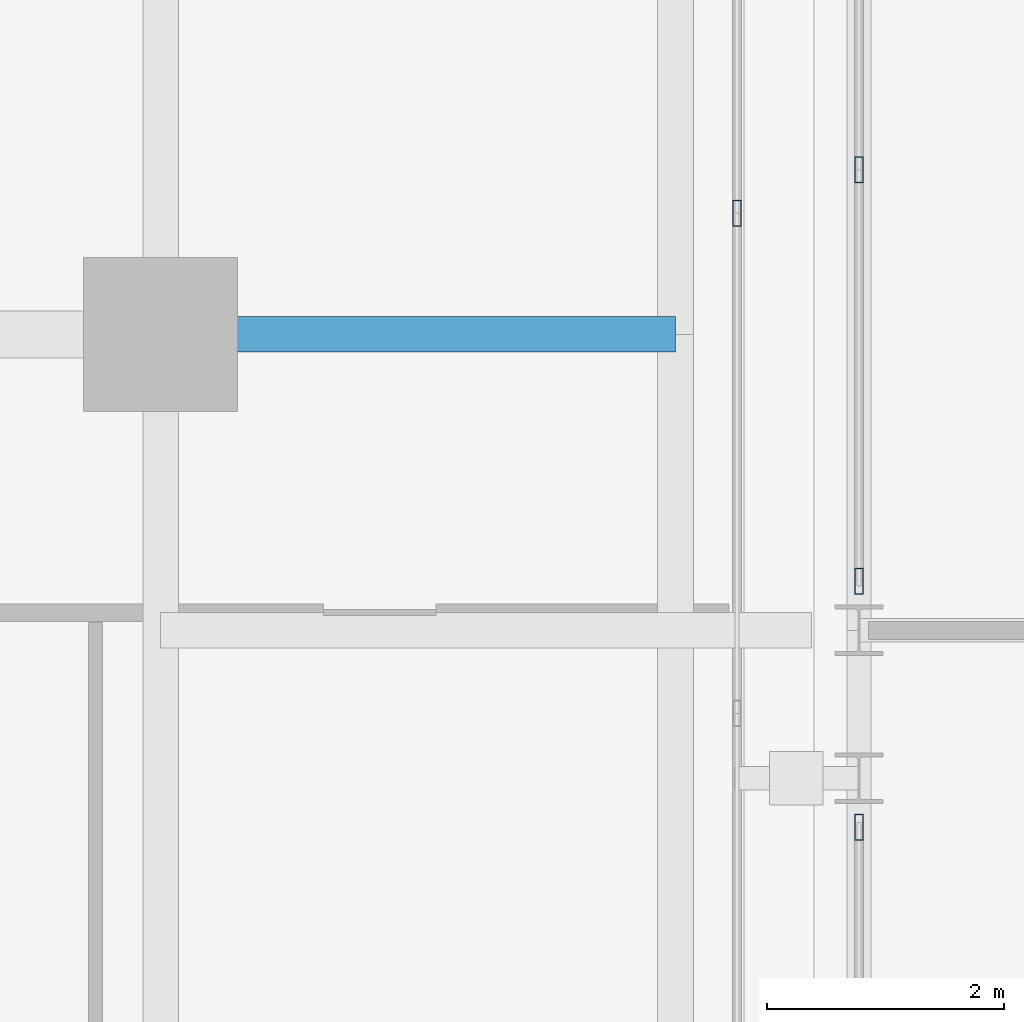
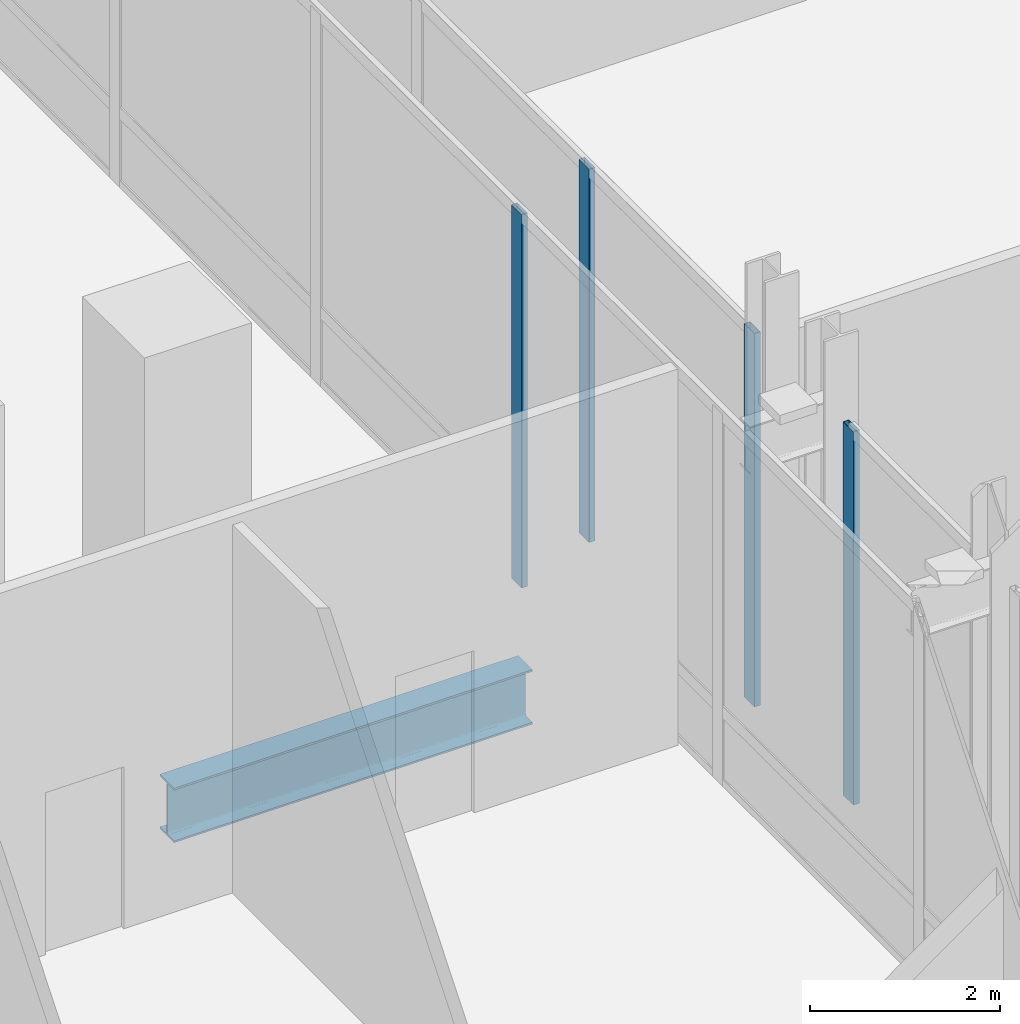
# One storey, part 14 of 36: 4 members, 1 beam, 3 elements without a shape of their own.
"""IFC4 building model written with IfcOpenShell, lengths in metres."""

import ifcopenshell
import ifcopenshell.guid

model = None  # the IFC model being written
_history = None  # IfcOwnerHistory: only IFC2X3 demands one
_inside = {}  # id of a spatial element -> (the spatial element, [elements in it])
_under = {}  # id of a project, library or spatial element -> (it, [spatial elements below it])
_declared = {}  # id of a project -> (the project, [libraries it declares])
_typed = {}  # id of a type object -> (the type object, [elements of that type])
_made_of = {}  # id of a material, layer set ... -> (it, [elements and type objects made of it])


def new_model(schema):
    """Start an empty IFC model of exactly this schema.

    Asked for "IFC4X3", IfcOpenShell would pick the latest addendum, in which some entities
    have other attributes; the version numbers below select the first issue.
    IFC2X3 requires an IfcOwnerHistory on every rooted entity: one is made here for all.
    """
    global model, _history
    if schema == "IFC4X3":
        model = ifcopenshell.file(schema_version=(4, 3, 0, 0))
    else:
        model = ifcopenshell.file(schema=schema)
    _inside.clear()
    _under.clear()
    _declared.clear()
    _typed.clear()
    _made_of.clear()
    _history = None
    if model.schema == "IFC2X3":
        org = make("IfcOrganization", Name="unknown")
        user = make(
            "IfcPersonAndOrganization",
            ThePerson=make("IfcPerson", FamilyName="unknown"),
            TheOrganization=org,
        )
        app = make(
            "IfcApplication",
            ApplicationDeveloper=org,
            Version="unknown",
            ApplicationFullName="unknown",
            ApplicationIdentifier="unknown",
        )
        _history = make(
            "IfcOwnerHistory",
            OwningUser=user,
            OwningApplication=app,
            ChangeAction="ADDED",
            CreationDate=0,
        )
    return model


def make(cls, **values):
    """One entity of the class cls with the attributes given. An attribute that is None is left unset."""
    return model.create_entity(
        cls, **{name: value for name, value in values.items() if value is not None}
    )


def rooted(cls, **values):
    """An entity with a GlobalId (a new one), such as an element, a storey or a relation."""
    return make(cls, GlobalId=ifcopenshell.guid.new(), OwnerHistory=_history, **values)


def si_unit(unit_type, name, prefix=None):
    """IfcSIUnit, for example si_unit("LENGTHUNIT", "METRE", prefix="MILLI")."""
    return make("IfcSIUnit", UnitType=unit_type, Prefix=prefix, Name=name)


def assignment(units):
    """IfcUnitAssignment: the units of a project."""
    return None if units is None else make("IfcUnitAssignment", Units=units)


def point(xyz):
    """IfcCartesianPoint."""
    return None if xyz is None else make("IfcCartesianPoint", Coordinates=xyz)


def direction(xyz):
    """IfcDirection."""
    return None if xyz is None else make("IfcDirection", DirectionRatios=xyz)


def frame(location, z_axis=None, x_axis=None):
    """IfcAxis2Placement3D, a coordinate frame: its origin and axes. An axis left out is left unset."""
    return make(
        "IfcAxis2Placement3D",
        Location=point(location),
        Axis=direction(z_axis),
        RefDirection=direction(x_axis),
    )


def frame_2d(location, x_axis=None):
    """IfcAxis2Placement2D, a coordinate frame in the plane: its origin and x axis."""
    return make(
        "IfcAxis2Placement2D", Location=point(location), RefDirection=direction(x_axis)
    )


def origin():
    """The frame at (0, 0, 0) with its axes left unset."""
    return frame((0.0, 0.0, 0.0))


def origin_2d():
    """The frame at (0, 0) in the plane with its x axis left unset."""
    return frame_2d((0.0, 0.0))


def place(relative_to, where):
    """IfcLocalPlacement: puts the frame where relative to a parent placement (None: the world)."""
    return make(
        "IfcLocalPlacement", PlacementRelTo=relative_to, RelativePlacement=where
    )


def context(
    kind, dimensions, precision=None, world=None, true_north=None, identifier=None
):
    """IfcGeometricRepresentationContext, for example the 3D "Model" context."""
    return make(
        "IfcGeometricRepresentationContext",
        ContextIdentifier=identifier,
        ContextType=kind,
        CoordinateSpaceDimension=dimensions,
        Precision=precision,
        WorldCoordinateSystem=world,
        TrueNorth=true_north,
    )


def subcontext(parent, identifier, kind, view, scale=None):
    """IfcGeometricRepresentationSubContext, for example "Body" below "Model"."""
    return make(
        "IfcGeometricRepresentationSubContext",
        ContextIdentifier=identifier,
        ContextType=kind,
        ParentContext=parent,
        TargetScale=scale,
        TargetView=view,
    )


def project(units=None, contexts=None):
    """IfcProject with its units and contexts."""
    return rooted(
        "IfcProject",
        Name="project",
        RepresentationContexts=contexts,
        UnitsInContext=assignment(units),
    )


def spatial(cls, under=None, at=None, **own):
    """A site, building, storey or space (cls), placed at a placement, below another one or the project."""
    s = rooted(cls, ObjectPlacement=at, **own)
    if under is not None:
        _under.setdefault(under.id(), (under, []))[1].append(s)
    return s


def profile(cls, at=None, kind="AREA", **sizes):
    """A parametric profile (cls). Its sizes go by their IFC names, for example OverallWidth=200.0."""
    return make(cls, ProfileType=kind, Position=at, **sizes)


def hollow_rectangle(**sizes):
    """IfcRectangleHollowProfileDef."""
    return profile("IfcRectangleHollowProfileDef", **sizes)


def i_section(**sizes):
    """IfcIShapeProfileDef."""
    return profile("IfcIShapeProfileDef", **sizes)


def extrude(swept, where, along, depth):
    """IfcExtrudedAreaSolid: the profile swept, set in the frame where, extruded along a direction by depth."""
    return make(
        "IfcExtrudedAreaSolid",
        SweptArea=swept,
        Position=where,
        ExtrudedDirection=direction(along),
        Depth=depth,
    )


def shape(context_of_items, identifier, shape_type, items):
    """IfcShapeRepresentation: the items that make up one representation, for example the "Body"."""
    return make(
        "IfcShapeRepresentation",
        ContextOfItems=context_of_items,
        RepresentationIdentifier=identifier,
        RepresentationType=shape_type,
        Items=items,
    )


def material(Name=None, Category=None):
    """IfcMaterial."""
    return make("IfcMaterial", Name=Name, Category=Category)


def material_profile(
    of_material, cross_section, Name=None, Category=None, Priority=None
):
    """IfcMaterialProfile: a cross section and its material."""
    return make(
        "IfcMaterialProfile",
        Name=Name,
        Material=of_material,
        Profile=cross_section,
        Priority=Priority,
        Category=Category,
    )


def profile_set(profiles, Name=None, composite=None):
    """IfcMaterialProfileSet."""
    return make(
        "IfcMaterialProfileSet",
        Name=Name,
        MaterialProfiles=profiles,
        CompositeProfile=composite,
    )


def made_of(thing, what):
    """Note that an element or type object is made of a material, layer set ...; save() writes the relation."""
    if what is not None:
        _made_of.setdefault(what.id(), (what, []))[1].append(thing)
    return thing


def type_object(cls, material=None, **own):
    """A type object (cls), such as IfcWallType, which elements share."""
    return made_of(rooted(cls, **own), material)


def element(
    cls,
    number,
    at=None,
    inside=None,
    cuts=None,
    type_object=None,
    material=None,
    context=None,
    identifier="Body",
    shape_type=None,
    held_by="IfcProductDefinitionShape",
    body=None,
    shapes=None,
    **own,
):
    """One element of the class cls, such as IfcWall. Its Tag is "e" and its number.

    at: its placement. inside: the storey or other place that contains it. cuts: it is an
    opening in that element (IfcRelVoidsElement). A single representation is given by context,
    identifier, shape_type and body (its items); several are given by shapes. held_by: the class
    of the entity that holds the representations. save() writes the other relations.
    """
    e = rooted(cls, Tag="e%d" % number, ObjectPlacement=at, **own)
    if body is not None:
        shapes = [shape(context, identifier, shape_type, body)]
    if shapes is not None:
        e.Representation = make(held_by, Representations=shapes)
    if inside is not None:
        _inside.setdefault(inside.id(), (inside, []))[1].append(e)
    if cuts is not None:
        rooted(
            "IfcRelVoidsElement", RelatingBuildingElement=cuts, RelatedOpeningElement=e
        )
    if type_object is not None:
        _typed.setdefault(type_object.id(), (type_object, []))[1].append(e)
    return made_of(e, material)


def aggregate(whole, parts):
    """IfcRelAggregates: a whole, such as a stair, and the parts it consists of."""
    return rooted("IfcRelAggregates", RelatingObject=whole, RelatedObjects=parts)


def save(model, path):
    """Write the relations noted so far, then the file.

    IfcRelAggregates (storeys below a building ...), IfcRelContainedInSpatialStructure (elements
    in a storey), IfcRelDefinesByType, IfcRelAssociatesMaterial and IfcRelDeclares: one each for
    every whole, place, type object, material and project.
    """
    for whole, parts in _under.values():
        aggregate(whole, parts)
    for where, things in _inside.values():
        rooted(
            "IfcRelContainedInSpatialStructure",
            RelatedElements=things,
            RelatingStructure=where,
        )
    for kind, things in _typed.values():
        rooted("IfcRelDefinesByType", RelatedObjects=things, RelatingType=kind)
    for what, things in _made_of.values():
        rooted("IfcRelAssociatesMaterial", RelatedObjects=things, RelatingMaterial=what)
    for by, libraries in _declared.values():
        rooted("IfcRelDeclares", RelatingContext=by, RelatedDefinitions=libraries)
    model.write(path)


model = new_model("IFC4")

# Units and contexts
model_context = context("Model", 3, precision=1e-05, world=origin(), true_north=direction((0.0, 1.0)))
body_context = subcontext(model_context, "Body", "Model", "MODEL_VIEW")
ifc_project = project(units=[si_unit("LENGTHUNIT", "METRE"), si_unit("AREAUNIT", "SQUARE_METRE"), si_unit("VOLUMEUNIT", "CUBIC_METRE"), si_unit("PLANEANGLEUNIT", "RADIAN"), si_unit("MASSUNIT", "GRAM", prefix="KILO")], contexts=[model_context])

# Site, building, storey
site_placement = place(None, origin())
site = spatial("IfcSite", under=ifc_project, at=site_placement, CompositionType="ELEMENT")
building_placement = place(site_placement, origin())
building = spatial("IfcBuilding", under=site, at=building_placement, Name="Noeulbin Bourse Tower", CompositionType="ELEMENT")
storey_placement = place(building_placement, origin())
storey = spatial("IfcBuildingStorey", under=building, at=storey_placement, Name="L01", CompositionType="ELEMENT", Elevation=0.0)

# Beam
ifc_material_1 = material(Name="Steel S355", Category="steel")
ifc_material_profile_1 = material_profile(ifc_material_1, i_section(OverallWidth=0.300048828125, OverallDepth=0.699951171875, WebThickness=0.012939453125, FlangeThickness=0.02392578125, FilletRadius=0.02392578125, at=origin_2d()), Name="H-700x300x13x24", Category="LoadBearing")
ifc_profile_set_1 = profile_set([ifc_material_profile_1], Name="Steel S355")
beam_type = type_object("IfcBeamType", Name="BM-GRD-700", PredefinedType="USERDEFINED", material=ifc_profile_set_1)
beam_placement = place(storey_placement, frame((54.550048828125, 29.0, -0.60009765625), z_axis=(1.0, 0.0, 0.0), x_axis=(0.0, 1.0, 0.0)))
element("IfcBeam", 1, at=beam_placement, inside=storey, type_object=beam_type, Name="BM-L01-JNT-EW-4", ObjectType="GIRDER", PredefinedType="USERDEFINED", context=body_context, shape_type="SweptSolid", body=[
    extrude(i_section(OverallWidth=0.300048828125, OverallDepth=0.699951171875, WebThickness=0.012939453125, FlangeThickness=0.02392578125, FilletRadius=0.02392578125, at=origin_2d()), origin(), (0.0, 0.0, 1.0), 4.349853515625),
])

# Curtain wall, member
ifc_material_2 = material(Name="Laminated Clear Low-E Glass", Category="glass")
curtain_wall_type = type_object("IfcCurtainWallType", Name="CW-SYS-1", PredefinedType="NOTDEFINED", material=ifc_material_2)
curtain_wall_1_placement = place(storey_placement, origin())
curtain_wall_1 = element("IfcCurtainWall", 2, at=curtain_wall_1_placement, inside=storey, type_object=curtain_wall_type, Name="Unitised Curtain Wall CW-L01-GAL-W", PredefinedType="NOTDEFINED")
ifc_material_3 = material(Name="Anodised Aluminium 6063-T6", Category="aluminium")
ifc_material_profile_2 = material_profile(ifc_material_3, hollow_rectangle(XDim=0.074951171875, YDim=0.219970703125, WallThickness=0.0048828125, InnerFilletRadius=0.00244140625, OuterFilletRadius=0.0048828125, at=origin_2d()), Name="ALU-MULL-75x220x5", Category="LoadBearing")
ifc_profile_set_2 = profile_set([ifc_material_profile_2], Name="Anodised Aluminium 6063-T6")
member_type = type_object("IfcMemberType", Name="CW-SYS-1-MUL", PredefinedType="MULLION", material=ifc_profile_set_2)
member_1_placement = place(storey_placement, frame((59.419921875, 30.02490234375, -0.02001953125), z_axis=(0.0, 0.0, 1.0), x_axis=(1.0, 0.0, 0.0)))
member_1 = element("IfcMember", 3, at=member_1_placement, type_object=member_type, Name="Curtain Wall Mullion CW-L01-GAL-W-M07", PredefinedType="MULLION", context=body_context, shape_type="SweptSolid", body=[
    extrude(hollow_rectangle(XDim=0.074951171875, YDim=0.219970703125, WallThickness=0.0048828125, InnerFilletRadius=0.00244140625, OuterFilletRadius=0.0048828125, at=origin_2d()), origin(), (0.0, 0.0, 1.0), 4.7900390625),
])
aggregate(curtain_wall_1, [member_1])

curtain_wall_2_placement = place(storey_placement, origin())
curtain_wall_2 = element("IfcCurtainWall", 4, at=curtain_wall_2_placement, inside=storey, type_object=curtain_wall_type, Name="Unitised Curtain Wall CW-L01-GAL-E-S4", PredefinedType="NOTDEFINED")
member_2_placement = place(storey_placement, frame((60.449951171875, 24.8359375, -0.02001953125), z_axis=(0.0, 0.0, 1.0), x_axis=(1.0, 0.0, 0.0)))
member_2 = element("IfcMember", 5, at=member_2_placement, type_object=member_type, Name="Curtain Wall Mullion CW-L01-GAL-E-S4-M01", PredefinedType="MULLION", context=body_context, shape_type="SweptSolid", body=[
    extrude(hollow_rectangle(XDim=0.074951171875, YDim=0.219970703125, WallThickness=0.0048828125, InnerFilletRadius=0.00244140625, OuterFilletRadius=0.0048828125, at=origin_2d()), origin(), (0.0, 0.0, 1.0), 4.7900390625),
])
aggregate(curtain_wall_2, [member_2])

# Curtain wall, members
curtain_wall_3_placement = place(storey_placement, origin())
curtain_wall_3 = element("IfcCurtainWall", 6, at=curtain_wall_3_placement, inside=storey, type_object=curtain_wall_type, Name="Unitised Curtain Wall CW-L01-GAL-E-S5", PredefinedType="NOTDEFINED")
member_3_placement = place(storey_placement, frame((60.449951171875, 26.9140625, -0.02001953125), z_axis=(0.0, 0.0, 1.0), x_axis=(1.0, 0.0, 0.0)))
member_3 = element("IfcMember", 7, at=member_3_placement, type_object=member_type, Name="Curtain Wall Mullion CW-L01-GAL-E-S5-M00", PredefinedType="MULLION", context=body_context, shape_type="SweptSolid", body=[
    extrude(hollow_rectangle(XDim=0.074951171875, YDim=0.219970703125, WallThickness=0.0048828125, InnerFilletRadius=0.00244140625, OuterFilletRadius=0.0048828125, at=origin_2d()), origin(), (0.0, 0.0, 1.0), 4.7900390625),
])
member_4_placement = place(storey_placement, frame((60.449951171875, 30.391357421875, -0.02001953125), z_axis=(0.0, 0.0, 1.0), x_axis=(1.0, 0.0, 0.0)))
member_4 = element("IfcMember", 8, at=member_4_placement, type_object=member_type, Name="Curtain Wall Mullion CW-L01-GAL-E-S5-M01", PredefinedType="MULLION", context=body_context, shape_type="SweptSolid", body=[
    extrude(hollow_rectangle(XDim=0.074951171875, YDim=0.219970703125, WallThickness=0.0048828125, InnerFilletRadius=0.00244140625, OuterFilletRadius=0.0048828125, at=origin_2d()), origin(), (0.0, 0.0, 1.0), 4.7900390625),
])
aggregate(curtain_wall_3, [member_3, member_4])

save(model, "model.ifc")
